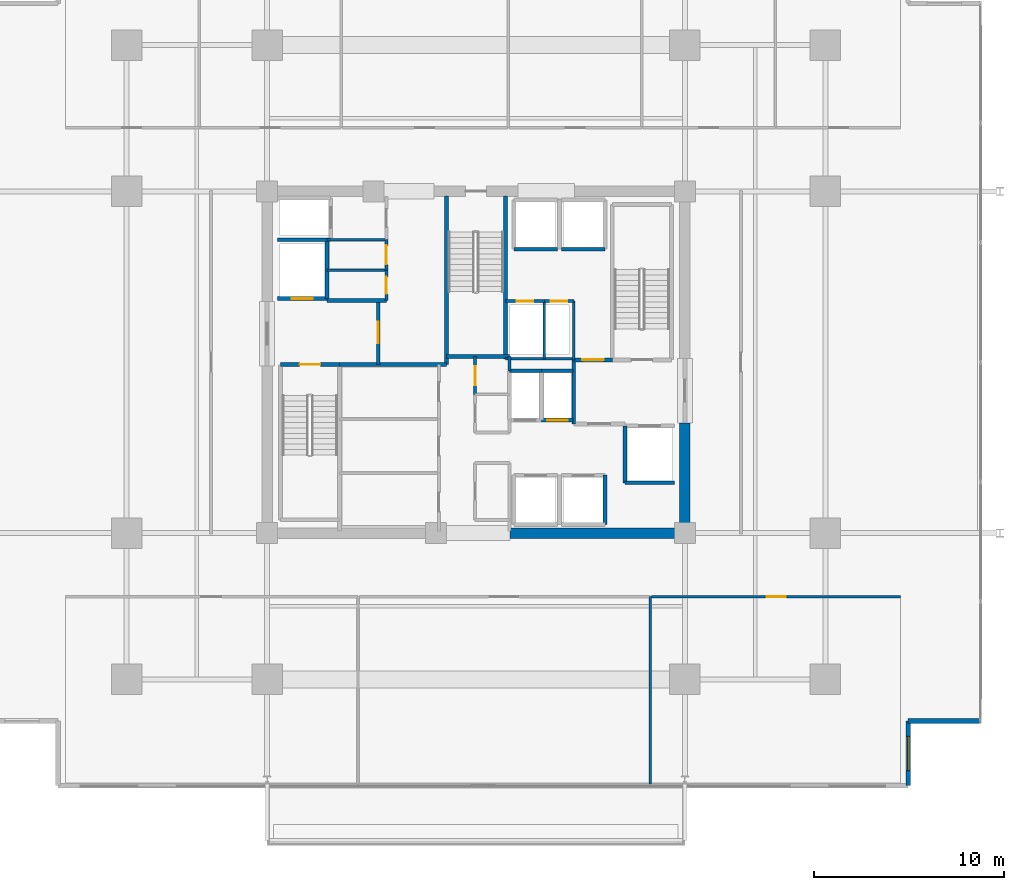
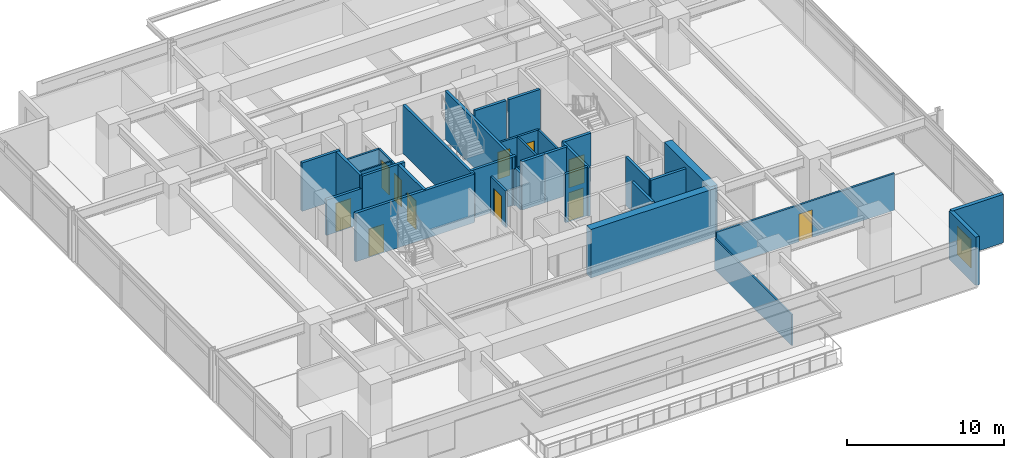
# One storey, part 16 of 23: 37 walls, 11 doors, 1 window, 12 openings.
"""IFC4 building model written with IfcOpenShell, lengths in metres."""

from ifc_helpers import new_model, si_unit, direction, frame, frame_2d, origin, place, context, subcontext, project, spatial, rectangle, extrude, material, layer, layer_set, type_object, element, fill, save


model = new_model("IFC4")

# Units and contexts
model_context = context("Model", 3, precision=1e-05, world=origin(), true_north=direction((0.0, 1.0)))
body_context = subcontext(model_context, "Body", "Model", "MODEL_VIEW")
ifc_project = project(units=[si_unit("LENGTHUNIT", "METRE"), si_unit("AREAUNIT", "SQUARE_METRE"), si_unit("VOLUMEUNIT", "CUBIC_METRE"), si_unit("PLANEANGLEUNIT", "RADIAN"), si_unit("MASSUNIT", "GRAM", prefix="KILO")], contexts=[model_context])

# Site, building, storey
site_placement = place(None, origin())
site = spatial("IfcSite", under=ifc_project, at=site_placement, CompositionType="ELEMENT")
building_placement = place(site_placement, origin())
building = spatial("IfcBuilding", under=site, at=building_placement, Name="Kovane Verandah Tower", CompositionType="ELEMENT")
storey_placement = place(building_placement, frame((0.0, 0.0, 148.39990234375)))
storey = spatial("IfcBuildingStorey", under=building, at=storey_placement, Name="L34", CompositionType="ELEMENT", Elevation=148.39990234375)

# Wall
ifc_material_1 = material(Name="Fire-Rated Gypsum Stud Partition", Category="gypsum")
ifc_layer_1 = layer(ifc_material_1, 0.14990234375)
ifc_layer_set_1 = layer_set([ifc_layer_1], Name="Fire-Rated Gypsum Stud Partition")
wall_type_1 = type_object("IfcWallType", Name="WL-COR-150", PredefinedType="PARTITIONING", material=ifc_layer_set_1)
wall_1_placement = place(storey_placement, frame((41.760009765625, 27.050048828125, 0.0), z_axis=(0.0, 0.0, 1.0), x_axis=(0.0, 1.0, 0.0)))
element("IfcWall", 1, at=wall_1_placement, inside=storey, type_object=wall_type_1, Name="L34 Central Core Strip Upper East Wall", PredefinedType="PARTITIONING", context=body_context, shape_type="SweptSolid", body=[
    extrude(rectangle(XDim=0.75, YDim=0.14990234375, at=frame_2d((0.375, 0.0))), origin(), (0.0, 0.0, 1.0), 2.85009765625),
])

# Wall, opening, door
wall_2_placement = place(storey_placement, frame((39.949951171875, 25.800048828125, 0.0), z_axis=(0.0, 0.0, 1.0), x_axis=(0.0, 1.0, 0.0)))
wall_2 = element("IfcWall", 2, at=wall_2_placement, inside=storey, type_object=wall_type_1, Name="L34 Central First Aid and Wellness Room Partition", PredefinedType="PARTITIONING", context=body_context, shape_type="SweptSolid", body=[
    extrude(rectangle(XDim=2.0, YDim=0.14990234375, at=frame_2d((1.0, 0.0))), origin(), (0.0, 0.0, 1.0), 2.85009765625),
])
opening_1_placement = place(wall_2_placement, frame((0.5, 0.0, 0.0)))
opening_1 = element("IfcOpeningElement", 3, at=opening_1_placement, cuts=wall_2, Name="Opening DR-L34-028", PredefinedType="OPENING", context=body_context, shape_type="SweptSolid", body=[
    extrude(rectangle(XDim=1.0, YDim=2.14990234375, at=frame_2d((0.5, 1.074951171875))), frame((0.0, 0.074951171875, 0.0), z_axis=(0.0, -1.0, 0.0), x_axis=(1.0, 0.0, 0.0)), (0.0, 0.0, 1.0), 0.14990234375),
])
ifc_material_2 = material(Name="FSC Spotted-Gum Timber Fire-Rated Office Door", Category="wood")
door_type_1 = type_object("IfcDoorType", Name="DR-OFF-1000", OperationType="SINGLE_SWING_LEFT", PredefinedType="DOOR", material=ifc_material_2)
door_1_placement = place(opening_1_placement, origin())
door_1 = element("IfcDoor", 4, at=door_1_placement, inside=storey, type_object=door_type_1, Name="L34 Central First Aid and Wellness Room Door", OperationType="SINGLE_SWING_RIGHT", OverallHeight=2.14990234375, OverallWidth=1.0, PredefinedType="DOOR", context=body_context, shape_type="SweptSolid", body=[
    extrude(rectangle(XDim=1.0, YDim=2.14990234375, at=frame_2d((0.5, 1.074951171875))), frame((0.0, 0.02490234375, 0.0), z_axis=(0.0, -1.0, 0.0), x_axis=(1.0, 0.0, 0.0)), (0.0, 0.0, 1.0), 0.050048828125),
])
fill(opening_1, door_1)

# Wall
wall_3_placement = place(storey_placement, frame((32.14990234375, 33.949951171875, 0.0), z_axis=(0.0, 0.0, 1.0), x_axis=(1.0, 0.0, 0.0)))
element("IfcWall", 5, at=wall_3_placement, inside=storey, type_object=wall_type_1, Name="L34 Goods Lift Lobby South Wall", PredefinedType="PARTITIONING", context=body_context, shape_type="SweptSolid", body=[
    extrude(rectangle(XDim=3.130126953125, YDim=0.14990234375, at=frame_2d((1.56494140625, 0.0))), origin(), (0.0, 0.0, 1.0), 2.85009765625),
])

# Wall, opening, door
wall_4_placement = place(storey_placement, frame((35.280029296875, 30.75, 0.0), z_axis=(0.0, 0.0, 1.0), x_axis=(0.0, 1.0, 0.0)))
wall_4 = element("IfcWall", 6, at=wall_4_placement, inside=storey, type_object=wall_type_1, Name="L34 Accessible Unisex Toilet Partition", PredefinedType="PARTITIONING", context=body_context, shape_type="SweptSolid", body=[
    extrude(rectangle(XDim=1.60009765625, YDim=0.14990234375, at=frame_2d((0.800048828125, 0.0))), origin(), (0.0, 0.0, 1.0), 2.85009765625),
])
opening_2_placement = place(wall_4_placement, frame((0.35009765625, 0.0, 0.0)))
opening_2 = element("IfcOpeningElement", 7, at=opening_2_placement, cuts=wall_4, Name="Opening DR-L34-029", PredefinedType="OPENING", context=body_context, shape_type="SweptSolid", body=[
    extrude(rectangle(XDim=0.89990234375, YDim=2.10009765625, at=frame_2d((0.449951171875, 1.050048828125))), frame((0.0, 0.074951171875, 0.0), z_axis=(0.0, -1.0, 0.0), x_axis=(1.0, 0.0, 0.0)), (0.0, 0.0, 1.0), 0.14990234375),
])
ifc_material_3 = material(Name="Moisture-Resistant Laminate Washroom Door", Category="wood")
door_type_2 = type_object("IfcDoorType", Name="DR-WC-900", OperationType="SINGLE_SWING_LEFT", PredefinedType="DOOR", material=ifc_material_3)
door_2_placement = place(opening_2_placement, origin())
door_2 = element("IfcDoor", 8, at=door_2_placement, inside=storey, type_object=door_type_2, Name="L34 Accessible Unisex Toilet Door", OperationType="SINGLE_SWING_RIGHT", OverallHeight=2.10009765625, OverallWidth=0.89990234375, PredefinedType="DOOR", context=body_context, shape_type="SweptSolid", body=[
    extrude(rectangle(XDim=0.89990234375, YDim=2.10009765625, at=frame_2d((0.449951171875, 1.050048828125))), frame((0.0, 0.02490234375, 0.0), z_axis=(0.0, -1.0, 0.0), x_axis=(1.0, 0.0, 0.0)), (0.0, 0.0, 1.0), 0.050048828125),
])
fill(opening_2, door_2)

wall_5_placement = place(storey_placement, frame((35.280029296875, 32.35009765625, 0.0), z_axis=(0.0, 0.0, 1.0), x_axis=(0.0, 1.0, 0.0)))
wall_5 = element("IfcWall", 9, at=wall_5_placement, inside=storey, type_object=wall_type_1, Name="L34 North-West First Aid Room Partition", PredefinedType="PARTITIONING", context=body_context, shape_type="SweptSolid", body=[
    extrude(rectangle(XDim=1.599853515625, YDim=0.14990234375, at=frame_2d((0.7998046875, 0.0))), origin(), (0.0, 0.0, 1.0), 2.85009765625),
])
opening_3_placement = place(wall_5_placement, frame((0.300048828125, 0.0, 0.0)))
opening_3 = element("IfcOpeningElement", 10, at=opening_3_placement, cuts=wall_5, Name="Opening DR-L34-012", PredefinedType="OPENING", context=body_context, shape_type="SweptSolid", body=[
    extrude(rectangle(XDim=1.0, YDim=2.14990234375, at=frame_2d((0.5, 1.074951171875))), frame((0.0, 0.074951171875, 0.0), z_axis=(0.0, -1.0, 0.0), x_axis=(1.0, 0.0, 0.0)), (0.0, 0.0, 1.0), 0.14990234375),
])
door_3_placement = place(opening_3_placement, origin())
door_3 = element("IfcDoor", 11, at=door_3_placement, inside=storey, type_object=door_type_1, Name="L34 North-West First Aid Room Door", OperationType="SINGLE_SWING_LEFT", OverallHeight=2.14990234375, OverallWidth=1.0, PredefinedType="DOOR", context=body_context, shape_type="SweptSolid", body=[
    extrude(rectangle(XDim=1.0, YDim=2.14990234375, at=frame_2d((0.5, 1.074951171875))), frame((0.0, 0.02490234375, 0.0), z_axis=(0.0, -1.0, 0.0), x_axis=(1.0, 0.0, 0.0)), (0.0, 0.0, 1.0), 0.050048828125),
])
fill(opening_3, door_3)

# Walls
wall_6_placement = place(storey_placement, frame((41.56005859375, 27.679931640625, 0.0), z_axis=(0.0, 0.0, 1.0), x_axis=(1.0, 0.0, 0.0)))
element("IfcWall", 12, at=wall_6_placement, inside=storey, type_object=wall_type_1, Name="L34 East Core Service Riser South Wall", PredefinedType="PARTITIONING", context=body_context, shape_type="SweptSolid", body=[
    extrude(rectangle(XDim=3.58984375, YDim=0.14990234375, at=frame_2d((1.794921875, 0.0))), origin(), (0.0, 0.0, 1.0), 2.85009765625),
])
wall_7_placement = place(storey_placement, frame((45.14990234375, 27.6201171875, 0.0), z_axis=(0.0, 0.0, 1.0), x_axis=(0.0, 1.0, 0.0)))
element("IfcWall", 13, at=wall_7_placement, inside=storey, type_object=wall_type_1, Name="L34 East Core Service Riser East Wall", PredefinedType="PARTITIONING", context=body_context, shape_type="SweptSolid", body=[
    extrude(rectangle(XDim=3.099853515625, YDim=0.14990234375, at=frame_2d((1.5498046875, 0.0))), origin(), (0.0, 0.0, 1.0), 2.85009765625),
])

# Wall, opening, door
wall_8_placement = place(storey_placement, frame((41.56005859375, 30.719970703125, 0.0), z_axis=(0.0, 0.0, 1.0), x_axis=(1.0, 0.0, 0.0)))
wall_8 = element("IfcWall", 14, at=wall_8_placement, inside=storey, type_object=wall_type_1, Name="L34 Electrical Sub-Main Riser Room Partition", PredefinedType="PARTITIONING", context=body_context, shape_type="SweptSolid", body=[
    extrude(rectangle(XDim=2.0400390625, YDim=0.14990234375, at=frame_2d((1.02001953125, 0.0))), origin(), (0.0, 0.0, 1.0), 2.85009765625),
])
opening_4_placement = place(wall_8_placement, frame((0.580078125, 0.0, 0.0)))
opening_4 = element("IfcOpeningElement", 15, at=opening_4_placement, cuts=wall_8, Name="Opening DR-L34-017", PredefinedType="OPENING", context=body_context, shape_type="SweptSolid", body=[
    extrude(rectangle(XDim=0.8798828125, YDim=2.10009765625, at=frame_2d((0.43994140625, 1.050048828125))), frame((0.0, 0.074951171875, 0.0), z_axis=(0.0, -1.0, 0.0), x_axis=(1.0, 0.0, 0.0)), (0.0, 0.0, 1.0), 0.14990234375),
])
ifc_material_4 = material(Name="Fire-Rated Steel Riser Access Door", Category="steel")
door_type_3 = type_object("IfcDoorType", Name="DR-RISER-880", OperationType="SINGLE_SWING_LEFT", PredefinedType="DOOR", material=ifc_material_4)
door_4_placement = place(opening_4_placement, origin())
door_4 = element("IfcDoor", 16, at=door_4_placement, inside=storey, type_object=door_type_3, Name="L34 Electrical Sub-Main Riser Room Door", OperationType="SINGLE_SWING_LEFT", OverallHeight=2.10009765625, OverallWidth=0.8798828125, PredefinedType="DOOR", context=body_context, shape_type="SweptSolid", body=[
    extrude(rectangle(XDim=0.8798828125, YDim=2.10009765625, at=frame_2d((0.43994140625, 1.050048828125))), frame((0.0, 0.02490234375, 0.0), z_axis=(0.0, -1.0, 0.0), x_axis=(1.0, 0.0, 0.0)), (0.0, 0.0, 1.0), 0.050048828125),
])
fill(opening_4, door_4)

wall_9_placement = place(storey_placement, frame((43.60009765625, 30.719970703125, 0.0), z_axis=(0.0, 0.0, 1.0), x_axis=(1.0, 0.0, 0.0)))
wall_9 = element("IfcWall", 17, at=wall_9_placement, inside=storey, type_object=wall_type_1, Name="L34 Sprinkler Wet Riser Room Partition", PredefinedType="PARTITIONING", context=body_context, shape_type="SweptSolid", body=[
    extrude(rectangle(XDim=1.5498046875, YDim=0.14990234375, at=frame_2d((0.77490234375, 0.0))), origin(), (0.0, 0.0, 1.0), 2.85009765625),
])
opening_5_placement = place(wall_9_placement, frame((0.3349609375, 0.0, 0.0)))
opening_5 = element("IfcOpeningElement", 18, at=opening_5_placement, cuts=wall_9, Name="Opening DR-L34-018", PredefinedType="OPENING", context=body_context, shape_type="SweptSolid", body=[
    extrude(rectangle(XDim=0.8798828125, YDim=2.10009765625, at=frame_2d((0.43994140625, 1.050048828125))), frame((0.0, 0.074951171875, 0.0), z_axis=(0.0, -1.0, 0.0), x_axis=(1.0, 0.0, 0.0)), (0.0, 0.0, 1.0), 0.14990234375),
])
door_5_placement = place(opening_5_placement, origin())
door_5 = element("IfcDoor", 19, at=door_5_placement, inside=storey, type_object=door_type_3, Name="L34 Sprinkler Wet Riser Room Door", OperationType="SINGLE_SWING_RIGHT", OverallHeight=2.10009765625, OverallWidth=0.8798828125, PredefinedType="DOOR", context=body_context, shape_type="SweptSolid", body=[
    extrude(rectangle(XDim=0.8798828125, YDim=2.10009765625, at=frame_2d((0.43994140625, 1.050048828125))), frame((0.0, 0.02490234375, 0.0), z_axis=(0.0, -1.0, 0.0), x_axis=(1.0, 0.0, 0.0)), (0.0, 0.0, 1.0), 0.050048828125),
])
fill(opening_5, door_5)

wall_10_placement = place(storey_placement, frame((49.242919921875, 15.14990234375, 0.0), z_axis=(0.0, 0.0, 1.0), x_axis=(1.0, 0.0, 0.0)))
wall_10 = element("IfcWall", 20, at=wall_10_placement, inside=storey, type_object=wall_type_1, Name="L34 Meeting Room S3 Corridor Partition", PredefinedType="PARTITIONING", context=body_context, shape_type="SweptSolid", body=[
    extrude(rectangle(XDim=13.12060546875, YDim=0.14990234375, at=frame_2d((6.560302734375, 0.0))), origin(), (0.0, 0.0, 1.0), 2.85009765625),
])
opening_6_placement = place(wall_10_placement, frame((6.060302734375, 0.0, 0.0)))
opening_6 = element("IfcOpeningElement", 21, at=opening_6_placement, cuts=wall_10, Name="Opening DR-L34-027", PredefinedType="OPENING", context=body_context, shape_type="SweptSolid", body=[
    extrude(rectangle(XDim=1.0, YDim=2.14990234375, at=frame_2d((0.5, 1.074951171875))), frame((0.0, 0.074951171875, 0.0), z_axis=(0.0, -1.0, 0.0), x_axis=(1.0, 0.0, 0.0)), (0.0, 0.0, 1.0), 0.14990234375),
])
door_6_placement = place(opening_6_placement, origin())
door_6 = element("IfcDoor", 22, at=door_6_placement, inside=storey, type_object=door_type_1, Name="L34 Meeting Room S3 Entrance Door", OperationType="SINGLE_SWING_LEFT", OverallHeight=2.14990234375, OverallWidth=1.0, PredefinedType="DOOR", context=body_context, shape_type="SweptSolid", body=[
    extrude(rectangle(XDim=1.0, YDim=2.14990234375, at=frame_2d((0.5, 1.074951171875))), frame((0.0, 0.02490234375, 0.0), z_axis=(0.0, -1.0, 0.0), x_axis=(1.0, 0.0, 0.0)), (0.0, 0.0, 1.0), 0.050048828125),
])
fill(opening_6, door_6)

# Walls
ifc_material_5 = material(Name="Concrete C60/75", Category="concrete")
ifc_layer_2 = layer(ifc_material_5, 0.550048828125)
ifc_layer_set_2 = layer_set([ifc_layer_2], Name="Concrete C60/75")
wall_type_2 = type_object("IfcWallType", Name="WL-CORE-550", PredefinedType="SHEAR", material=ifc_layer_set_2)
wall_11_placement = place(storey_placement, frame((41.800048828125, 18.5, 0.0), z_axis=(0.0, 0.0, 1.0), x_axis=(1.0, 0.0, 0.0)))
element("IfcWall", 23, at=wall_11_placement, inside=storey, type_object=wall_type_2, Name="L34 Core Shear Wall CS-2", PredefinedType="SHEAR", context=body_context, shape_type="SweptSolid", body=[
    extrude(rectangle(XDim=9.199951171875, YDim=0.550048828125, at=frame_2d((4.60009765625, 0.0))), origin(), (0.0, 0.0, 1.0), 3.775146484375),
])
wall_12_placement = place(storey_placement, frame((51.0, 18.5, 0.0), z_axis=(0.0, 0.0, 1.0), x_axis=(0.0, 1.0, 0.0)))
element("IfcWall", 24, at=wall_12_placement, inside=storey, type_object=wall_type_2, Name="L34 Core Shear Wall CE-1", PredefinedType="SHEAR", context=body_context, shape_type="SweptSolid", body=[
    extrude(rectangle(XDim=5.800048828125, YDim=0.550048828125, at=frame_2d((2.89990234375, 0.0))), origin(), (0.0, 0.0, 1.0), 3.775146484375),
])

# Wall, opening, door
ifc_material_6 = material(Name="Concrete C45/55 Fire Wall", Category="concrete")
ifc_layer_3 = layer(ifc_material_6, 0.199951171875)
ifc_layer_set_3 = layer_set([ifc_layer_3], Name="Concrete C45/55 Fire Wall")
wall_type_3 = type_object("IfcWallType", Name="WL-FFL-200", PredefinedType="PARTITIONING", material=ifc_layer_set_3)
wall_13_placement = place(storey_placement, frame((34.85009765625, 27.3798828125, 0.0), z_axis=(0.0, 0.0, 1.0), x_axis=(0.0, 1.0, 0.0)))
wall_13 = element("IfcWall", 25, at=wall_13_placement, inside=storey, type_object=wall_type_3, Name="W-L34-FFLW-E", PredefinedType="PARTITIONING", context=body_context, shape_type="SweptSolid", body=[
    extrude(rectangle(XDim=3.3701171875, YDim=0.199951171875, at=frame_2d((1.68505859375, 0.0))), origin(), (0.0, 0.0, 1.0), 3.775146484375),
])
opening_7_placement = place(wall_13_placement, frame((1.110107421875, 0.0, 0.0)))
opening_7 = element("IfcOpeningElement", 26, at=opening_7_placement, cuts=wall_13, Name="Opening DR-L34-006", PredefinedType="OPENING", context=body_context, shape_type="SweptSolid", body=[
    extrude(rectangle(XDim=1.14990234375, YDim=2.199951171875, at=frame_2d((0.574951171875, 1.10009765625))), frame((0.0, 0.10009765625, 0.0), z_axis=(0.0, -1.0, 0.0), x_axis=(1.0, 0.0, 0.0)), (0.0, 0.0, 1.0), 0.199951171875),
])
ifc_material_7 = material(Name="Smoke-Sealed Firefighting Lobby Door", Category="steel")
door_type_4 = type_object("IfcDoorType", Name="DR-FFL-1150", OperationType="SINGLE_SWING_LEFT", PredefinedType="DOOR", material=ifc_material_7)
door_7_placement = place(opening_7_placement, origin())
door_7 = element("IfcDoor", 27, at=door_7_placement, inside=storey, type_object=door_type_4, Name="L34 West Firefighting Lobby Inner Door", OperationType="SINGLE_SWING_LEFT", OverallHeight=2.199951171875, OverallWidth=1.14990234375, PredefinedType="DOOR", context=body_context, shape_type="SweptSolid", body=[
    extrude(rectangle(XDim=1.14990234375, YDim=2.199951171875, at=frame_2d((0.574951171875, 1.10009765625))), frame((0.0, 0.02490234375, 0.0), z_axis=(0.0, -1.0, 0.0), x_axis=(1.0, 0.0, 0.0)), (0.0, 0.0, 1.0), 0.050048828125),
])
fill(opening_7, door_7)

# Walls
wall_14_placement = place(storey_placement, frame((32.820068359375, 27.3798828125, 0.0), z_axis=(0.0, 0.0, 1.0), x_axis=(1.0, 0.0, 0.0)))
element("IfcWall", 28, at=wall_14_placement, inside=storey, type_object=wall_type_3, Name="L34 West Firefighting Lobby South Fire Wall", PredefinedType="PARTITIONING", context=body_context, shape_type="SweptSolid", body=[
    extrude(rectangle(XDim=5.619873046875, YDim=0.199951171875, at=frame_2d((2.81005859375, 0.0))), origin(), (0.0, 0.0, 1.0), 3.775146484375),
])
wall_15_placement = place(storey_placement, frame((32.14990234375, 30.75, 0.0), z_axis=(0.0, 0.0, 1.0), x_axis=(1.0, 0.0, 0.0)))
element("IfcWall", 29, at=wall_15_placement, inside=storey, type_object=wall_type_3, Name="L34 West Firefighting Lobby North Fire Wall", PredefinedType="PARTITIONING", context=body_context, shape_type="SweptSolid", body=[
    extrude(rectangle(XDim=3.130126953125, YDim=0.199951171875, at=frame_2d((1.56494140625, 0.0))), origin(), (0.0, 0.0, 1.0), 3.775146484375),
])
wall_16_placement = place(storey_placement, frame((45.14990234375, 24.25, 0.0), z_axis=(0.0, 0.0, 1.0), x_axis=(0.0, 1.0, 0.0)))
element("IfcWall", 30, at=wall_16_placement, inside=storey, type_object=wall_type_3, Name="L34 East Firefighting Lobby West Fire Wall", PredefinedType="PARTITIONING", context=body_context, shape_type="SweptSolid", body=[
    extrude(rectangle(XDim=3.3701171875, YDim=0.199951171875, at=frame_2d((1.68505859375, 0.0))), origin(), (0.0, 0.0, 1.0), 3.775146484375),
])

# Wall, opening, door
wall_17_placement = place(storey_placement, frame((45.14990234375, 27.6201171875, 0.0), z_axis=(0.0, 0.0, 1.0), x_axis=(1.0, 0.0, 0.0)))
wall_17 = element("IfcWall", 31, at=wall_17_placement, inside=storey, type_object=wall_type_3, Name="W-L34-FFLE-N", PredefinedType="PARTITIONING", context=body_context, shape_type="SweptSolid", body=[
    extrude(rectangle(XDim=2.030029296875, YDim=0.199951171875, at=frame_2d((1.01513671875, 0.0))), origin(), (0.0, 0.0, 1.0), 3.775146484375),
])
opening_8_placement = place(wall_17_placement, frame((0.43994140625, 0.0, 0.0)))
opening_8 = element("IfcOpeningElement", 32, at=opening_8_placement, cuts=wall_17, Name="Opening DR-L34-004", PredefinedType="OPENING", context=body_context, shape_type="SweptSolid", body=[
    extrude(rectangle(XDim=1.14990234375, YDim=2.199951171875, at=frame_2d((0.574951171875, 1.10009765625))), frame((0.0, 0.10009765625, 0.0), z_axis=(0.0, -1.0, 0.0), x_axis=(1.0, 0.0, 0.0)), (0.0, 0.0, 1.0), 0.199951171875),
])
door_8_placement = place(opening_8_placement, origin())
door_8 = element("IfcDoor", 33, at=door_8_placement, inside=storey, type_object=door_type_4, Name="L34 East Firefighting Lobby Shuttle Link Door", OperationType="SINGLE_SWING_LEFT", OverallHeight=2.199951171875, OverallWidth=1.14990234375, PredefinedType="DOOR", context=body_context, shape_type="SweptSolid", body=[
    extrude(rectangle(XDim=1.14990234375, YDim=2.199951171875, at=frame_2d((0.574951171875, 1.10009765625))), frame((0.0, 0.02490234375, 0.0), z_axis=(0.0, -1.0, 0.0), x_axis=(1.0, 0.0, 0.0)), (0.0, 0.0, 1.0), 0.050048828125),
])
fill(opening_8, door_8)

ifc_material_8 = material(Name="Concrete C45/55 Lift Shaft Wall", Category="concrete")
ifc_layer_4 = layer(ifc_material_8, 0.199951171875)
ifc_layer_set_4 = layer_set([ifc_layer_4], Name="Concrete C45/55 Lift Shaft Wall")
wall_type_4 = type_object("IfcWallType", Name="WL-LIFT-200", PredefinedType="SOLIDWALL", material=ifc_layer_set_4)
wall_18_placement = place(storey_placement, frame((29.550048828125, 30.85009765625, 0.0), z_axis=(0.0, 0.0, 1.0), x_axis=(1.0, 0.0, 0.0)))
wall_18 = element("IfcWall", 34, at=wall_18_placement, inside=storey, type_object=wall_type_4, Name="L34 Lift FL-01 S Shaft Wall", PredefinedType="SOLIDWALL", context=body_context, shape_type="SweptSolid", body=[
    extrude(rectangle(XDim=2.599853515625, YDim=0.199951171875, at=frame_2d((1.2998046875, 0.0))), origin(), (0.0, 0.0, 1.0), 2.755126953125),
])
opening_9_placement = place(wall_18_placement, frame((0.75, 0.0, 0.0)))
opening_9 = element("IfcOpeningElement", 35, at=opening_9_placement, cuts=wall_18, Name="Opening LD-L34-001", PredefinedType="OPENING", context=body_context, shape_type="SweptSolid", body=[
    extrude(rectangle(XDim=1.10009765625, YDim=2.199951171875, at=frame_2d((0.550048828125, 1.10009765625))), frame((0.0, 0.10009765625, 0.0), z_axis=(0.0, -1.0, 0.0), x_axis=(1.0, 0.0, 0.0)), (0.0, 0.0, 1.0), 0.199951171875),
])
ifc_material_9 = material(Name="Brushed Stainless Steel Sliding Lift Landing Door", Category="steel")
door_type_5 = type_object("IfcDoorType", Name="DR-LIFT-1100", OperationType="SLIDING_TO_RIGHT", PredefinedType="DOOR", material=ifc_material_9)
door_9_placement = place(opening_9_placement, origin())
door_9 = element("IfcDoor", 36, at=door_9_placement, inside=storey, type_object=door_type_5, Name="L34 Lift FL-01 Sliding Landing Door", OperationType="SLIDING_TO_RIGHT", OverallHeight=2.199951171875, OverallWidth=1.10009765625, PredefinedType="DOOR", context=body_context, shape_type="SweptSolid", body=[
    extrude(rectangle(XDim=1.10009765625, YDim=2.199951171875, at=frame_2d((0.550048828125, 1.10009765625))), frame((0.0, 0.02490234375, 0.0), z_axis=(0.0, -1.0, 0.0), x_axis=(1.0, 0.0, 0.0)), (0.0, 0.0, 1.0), 0.050048828125),
])
fill(opening_9, door_9)

# Walls
wall_19_placement = place(storey_placement, frame((29.550048828125, 33.949951171875, 0.0), z_axis=(0.0, 0.0, 1.0), x_axis=(1.0, 0.0, 0.0)))
element("IfcWall", 37, at=wall_19_placement, inside=storey, type_object=wall_type_4, Name="L34 Lift FL-01 and GL-01 Shared Shaft Wall", PredefinedType="SOLIDWALL", context=body_context, shape_type="SweptSolid", body=[
    extrude(rectangle(XDim=2.800048828125, YDim=0.199951171875, at=frame_2d((1.39990234375, 0.0))), origin(), (0.0, 0.0, 1.0), 3.775146484375),
])
wall_20_placement = place(storey_placement, frame((32.14990234375, 30.85009765625, 0.0), z_axis=(0.0, 0.0, 1.0), x_axis=(0.0, 1.0, 0.0)))
element("IfcWall", 38, at=wall_20_placement, inside=storey, type_object=wall_type_4, Name="L34 Lift FL-01 E Shaft Wall", PredefinedType="SOLIDWALL", context=body_context, shape_type="SweptSolid", body=[
    extrude(rectangle(XDim=3.0, YDim=0.199951171875, at=frame_2d((1.5, 0.0))), origin(), (0.0, 0.0, 1.0), 3.775146484375),
])
wall_21_placement = place(storey_placement, frame((47.85009765625, 21.14990234375, 0.0), z_axis=(0.0, 0.0, 1.0), x_axis=(1.0, 0.0, 0.0)))
element("IfcWall", 39, at=wall_21_placement, inside=storey, type_object=wall_type_4, Name="L34 Lift FL-02 S Shaft Wall", PredefinedType="SOLIDWALL", context=body_context, shape_type="SweptSolid", body=[
    extrude(rectangle(XDim=2.599853515625, YDim=0.199951171875, at=frame_2d((1.2998046875, 0.0))), origin(), (0.0, 0.0, 1.0), 3.775146484375),
])
wall_22_placement = place(storey_placement, frame((47.85009765625, 24.14990234375, 0.0), z_axis=(0.0, 0.0, 1.0), x_axis=(0.0, -1.0, 0.0)))
element("IfcWall", 40, at=wall_22_placement, inside=storey, type_object=wall_type_4, Name="L34 Lift FL-02 W Shaft Wall", PredefinedType="SOLIDWALL", context=body_context, shape_type="SweptSolid", body=[
    extrude(rectangle(XDim=3.0, YDim=0.199951171875, at=frame_2d((1.5, 0.0))), origin(), (0.0, 0.0, 1.0), 3.775146484375),
])
wall_23_placement = place(storey_placement, frame((46.800048828125, 18.949951171875, 0.0), z_axis=(0.0, 0.0, 1.0), x_axis=(0.0, 1.0, 0.0)))
element("IfcWall", 41, at=wall_23_placement, inside=storey, type_object=wall_type_4, Name="L34 Lift PL-M2 E Shaft Wall", PredefinedType="SOLIDWALL", context=body_context, shape_type="SweptSolid", body=[
    extrude(rectangle(XDim=2.60009765625, YDim=0.199951171875, at=frame_2d((1.300048828125, 0.0))), origin(), (0.0, 0.0, 1.0), 3.775146484375),
])
wall_24_placement = place(storey_placement, frame((43.43994140625, 27.050048828125, 0.0), z_axis=(0.0, 0.0, 1.0), x_axis=(-1.0, 0.0, 0.0)))
element("IfcWall", 42, at=wall_24_placement, inside=storey, type_object=wall_type_4, Name="L34 Lift PL-M3 N Shaft Wall", PredefinedType="SOLIDWALL", context=body_context, shape_type="SweptSolid", body=[
    extrude(rectangle(XDim=1.679931640625, YDim=0.199951171875, at=frame_2d((0.83984375, 0.0))), origin(), (0.0, 0.0, 1.0), 3.775146484375),
])

# Wall, opening, door
wall_25_placement = place(storey_placement, frame((43.4599609375, 24.449951171875, 0.0), z_axis=(0.0, 0.0, 1.0), x_axis=(1.0, 0.0, 0.0)))
wall_25 = element("IfcWall", 43, at=wall_25_placement, inside=storey, type_object=wall_type_4, Name="L34 Lift PL-M4 S Shaft Wall", PredefinedType="SOLIDWALL", context=body_context, shape_type="SweptSolid", body=[
    extrude(rectangle(XDim=1.66015625, YDim=0.199951171875, at=frame_2d((0.830078125, 0.0))), origin(), (0.0, 0.0, 1.0), 3.775146484375),
])
opening_10_placement = place(wall_25_placement, frame((0.280029296875, 0.0, 0.0)))
opening_10 = element("IfcOpeningElement", 44, at=opening_10_placement, cuts=wall_25, Name="Opening LD-L34-007", PredefinedType="OPENING", context=body_context, shape_type="SweptSolid", body=[
    extrude(rectangle(XDim=1.10009765625, YDim=2.199951171875, at=frame_2d((0.550048828125, 1.10009765625))), frame((0.0, 0.10009765625, 0.0), z_axis=(0.0, -1.0, 0.0), x_axis=(1.0, 0.0, 0.0)), (0.0, 0.0, 1.0), 0.199951171875),
])
door_10_placement = place(opening_10_placement, origin())
door_10 = element("IfcDoor", 45, at=door_10_placement, inside=storey, type_object=door_type_5, Name="L34 Lift PL-M4 Sliding Landing Door", OperationType="SLIDING_TO_RIGHT", OverallHeight=2.199951171875, OverallWidth=1.10009765625, PredefinedType="DOOR", context=body_context, shape_type="SweptSolid", body=[
    extrude(rectangle(XDim=1.10009765625, YDim=2.199951171875, at=frame_2d((0.550048828125, 1.10009765625))), frame((0.0, 0.02490234375, 0.0), z_axis=(0.0, -1.0, 0.0), x_axis=(1.0, 0.0, 0.0)), (0.0, 0.0, 1.0), 0.050048828125),
])
fill(opening_10, door_10)

# Walls
wall_26_placement = place(storey_placement, frame((45.1201171875, 27.050048828125, 0.0), z_axis=(0.0, 0.0, 1.0), x_axis=(-1.0, 0.0, 0.0)))
element("IfcWall", 46, at=wall_26_placement, inside=storey, type_object=wall_type_4, Name="L34 Lift PL-M4 N Shaft Wall", PredefinedType="SOLIDWALL", context=body_context, shape_type="SweptSolid", body=[
    extrude(rectangle(XDim=1.66015625, YDim=0.199951171875, at=frame_2d((0.830078125, 0.0))), origin(), (0.0, 0.0, 1.0), 3.775146484375),
])
for number, where, z_axis, x_axis, name in (
    (47, (42.0, 33.449951171875, 0.0), (0.0, 0.0, 1.0), (1.0, 0.0, 0.0), "L34 Lift SL-01 S Shaft Wall"),
    (48, (44.5, 33.449951171875, 0.0), (0.0, 0.0, 1.0), (1.0, 0.0, 0.0), "L34 Lift OL-01 S Shaft Wall"),
):
    element("IfcWall", number, at=place(storey_placement, frame(where, z_axis=z_axis, x_axis=x_axis)), inside=storey, type_object=wall_type_4, Name=name, PredefinedType="SOLIDWALL", context=body_context, shape_type="SweptSolid", body=[
        extrude(rectangle(XDim=2.300048828125, YDim=0.199951171875, at=frame_2d((1.14990234375, 0.0))), origin(), (0.0, 0.0, 1.0), 3.775146484375),
    ])
ifc_material_10 = material(Name="Acoustic Fire-Rated Gypsum Partition", Category="gypsum")
ifc_layer_5 = layer(ifc_material_10, 0.1201171875)
ifc_layer_set_5 = layer_set([ifc_layer_5], Name="Acoustic Fire-Rated Gypsum Partition")
wall_type_5 = type_object("IfcWallType", Name="WL-PART-120", PredefinedType="PARTITIONING", material=ifc_layer_set_5)
wall_27_placement = place(storey_placement, frame((32.14990234375, 32.35009765625, 0.0), z_axis=(0.0, 0.0, 1.0), x_axis=(1.0, 0.0, 0.0)))
element("IfcWall", 49, at=wall_27_placement, inside=storey, type_object=wall_type_5, Name="L34 Accessible Washroom and Support Dividing Partition", PredefinedType="PARTITIONING", context=body_context, shape_type="SweptSolid", body=[
    extrude(rectangle(XDim=3.130126953125, YDim=0.1201171875, at=frame_2d((1.56494140625, 0.0))), origin(), (0.0, 0.0, 1.0), 2.85009765625),
])
wall_28_placement = place(storey_placement, frame((43.60009765625, 27.679931640625, 0.0), z_axis=(0.0, 0.0, 1.0), x_axis=(0.0, 1.0, 0.0)))
element("IfcWall", 50, at=wall_28_placement, inside=storey, type_object=wall_type_5, Name="L34 Service Riser Dividing Partition", PredefinedType="PARTITIONING", context=body_context, shape_type="SweptSolid", body=[
    extrude(rectangle(XDim=3.0400390625, YDim=0.1201171875, at=frame_2d((1.52001953125, 0.0))), origin(), (0.0, 0.0, 1.0), 2.85009765625),
])
wall_29_placement = place(storey_placement, frame((49.1728515625, 5.29638671875, 0.0), z_axis=(0.0, 0.0, 1.0), x_axis=(0.0, 1.0, 0.0)))
element("IfcWall", 51, at=wall_29_placement, inside=storey, type_object=wall_type_5, Name="L34 Client Boardroom S2 Dividing Partition", PredefinedType="PARTITIONING", context=body_context, shape_type="SweptSolid", body=[
    extrude(rectangle(XDim=9.853515625, YDim=0.1201171875, at=frame_2d((4.9267578125, 0.0))), origin(), (0.0, 0.0, 1.0), 2.405029296875),
])

# Wall, opening, door
ifc_material_11 = material(Name="Concrete C45/55", Category="concrete")
ifc_layer_6 = layer(ifc_material_11, 0.199951171875)
ifc_layer_set_6 = layer_set([ifc_layer_6], Name="Concrete C45/55")
wall_type_6 = type_object("IfcWallType", Name="WL-SHAFT-200", PredefinedType="SOLIDWALL", material=ifc_layer_set_6)
wall_30_placement = place(storey_placement, frame((29.699951171875, 27.3798828125, 0.0), z_axis=(0.0, 0.0, 1.0), x_axis=(1.0, 0.0, 0.0)))
wall_30 = element("IfcWall", 52, at=wall_30_placement, inside=storey, type_object=wall_type_6, Name="W-L34-ST01-N", PredefinedType="SOLIDWALL", context=body_context, shape_type="SweptSolid", body=[
    extrude(rectangle(XDim=3.1201171875, YDim=0.199951171875, at=frame_2d((1.56005859375, 0.0))), origin(), (0.0, 0.0, 1.0), 3.775146484375),
])
opening_11_placement = place(wall_30_placement, frame((1.010009765625, 0.0, 0.0)))
opening_11 = element("IfcOpeningElement", 53, at=opening_11_placement, cuts=wall_30, Name="Opening DR-L34-009", PredefinedType="OPENING", context=body_context, shape_type="SweptSolid", body=[
    extrude(rectangle(XDim=1.10009765625, YDim=2.14990234375, at=frame_2d((0.550048828125, 1.074951171875))), frame((0.0, 0.10009765625, 0.0), z_axis=(0.0, -1.0, 0.0), x_axis=(1.0, 0.0, 0.0)), (0.0, 0.0, 1.0), 0.199951171875),
])
ifc_material_12 = material(Name="Fire-Rated Steel Exit Door", Category="steel")
door_type_6 = type_object("IfcDoorType", Name="DR-STAIR-1100", OperationType="SINGLE_SWING_LEFT", PredefinedType="DOOR", material=ifc_material_12)
door_11_placement = place(opening_11_placement, origin())
door_11 = element("IfcDoor", 54, at=door_11_placement, inside=storey, type_object=door_type_6, Name="L34 ST-01 Fire Exit Stair Door", OperationType="SINGLE_SWING_LEFT", OverallHeight=2.14990234375, OverallWidth=1.10009765625, PredefinedType="DOOR", context=body_context, shape_type="SweptSolid", body=[
    extrude(rectangle(XDim=1.10009765625, YDim=2.14990234375, at=frame_2d((0.550048828125, 1.074951171875))), frame((0.0, 0.02490234375, 0.0), z_axis=(0.0, -1.0, 0.0), x_axis=(1.0, 0.0, 0.0)), (0.0, 0.0, 1.0), 0.050048828125),
])
fill(opening_11, door_11)

# Walls
wall_31_placement = place(storey_placement, frame((38.43994140625, 27.3798828125, 0.0), z_axis=(0.0, 0.0, 1.0), x_axis=(0.0, 1.0, 0.0)))
element("IfcWall", 55, at=wall_31_placement, inside=storey, type_object=wall_type_6, Name="W-L34-ST03-W", PredefinedType="SOLIDWALL", context=body_context, shape_type="SweptSolid", body=[
    extrude(rectangle(XDim=8.8701171875, YDim=0.199951171875, at=frame_2d((4.43505859375, 0.0))), origin(), (0.0, 0.0, 1.0), 3.775146484375),
])
wall_32_placement = place(storey_placement, frame((41.56005859375, 27.679931640625, 0.0), z_axis=(0.0, 0.0, 1.0), x_axis=(0.0, 1.0, 0.0)))
element("IfcWall", 56, at=wall_32_placement, inside=storey, type_object=wall_type_6, Name="W-L34-ST03-E", PredefinedType="SOLIDWALL", context=body_context, shape_type="SweptSolid", body=[
    extrude(rectangle(XDim=8.570068359375, YDim=0.199951171875, at=frame_2d((4.28515625, 0.0))), origin(), (0.0, 0.0, 1.0), 3.775146484375),
])
wall_33_placement = place(storey_placement, frame((38.43994140625, 27.800048828125, 0.0), z_axis=(0.0, 0.0, 1.0), x_axis=(1.0, 0.0, 0.0)))
element("IfcWall", 57, at=wall_33_placement, inside=storey, type_object=wall_type_6, Name="W-L34-ST03-S", PredefinedType="SOLIDWALL", context=body_context, shape_type="SweptSolid", body=[
    extrude(rectangle(XDim=3.320068359375, YDim=0.199951171875, at=frame_2d((1.66015625, 0.0))), origin(), (0.0, 0.0, 1.0), 3.775146484375),
])

# Wall, opening, window
ifc_material_13 = material(Name="Concrete C45/55 Insulated Spandrel Wall", Category="concrete")
ifc_layer_7 = layer(ifc_material_13, 0.260009765625)
ifc_layer_set_7 = layer_set([ifc_layer_7], Name="Concrete C45/55 Insulated Spandrel Wall")
wall_type_7 = type_object("IfcWallType", Name="WL-SPANDREL-260", PredefinedType="PARAPET", material=ifc_layer_set_7)
wall_34_placement = place(storey_placement, frame((62.763427734375, 5.1962890625, 0.0), z_axis=(0.0, 0.0, 1.0), x_axis=(0.0, 1.0, 0.0)))
wall_34 = element("IfcWall", 58, at=wall_34_placement, inside=storey, type_object=wall_type_7, Name="L34 SE Notch Cheek Wall 1", PredefinedType="PARAPET", context=body_context, shape_type="SweptSolid", body=[
    extrude(rectangle(XDim=3.400146484375, YDim=0.260009765625, at=frame_2d((1.7001953125, 0.0))), origin(), (0.0, 0.0, 1.0), 3.775146484375),
])
opening_12_placement = place(wall_34_placement, frame((0.800048828125, 0.0, 0.85009765625)))
opening_12 = element("IfcOpeningElement", 59, at=opening_12_placement, cuts=wall_34, Name="Opening W-03", PredefinedType="OPENING", context=body_context, shape_type="SweptSolid", body=[
    extrude(rectangle(XDim=1.800048828125, YDim=2.199951171875, at=frame_2d((0.89990234375, 1.10009765625))), frame((0.0, 0.1298828125, 0.0), z_axis=(0.0, -1.0, 0.0), x_axis=(1.0, 0.0, 0.0)), (0.0, 0.0, 1.0), 0.260009765625),
])
ifc_material_14 = material(Name="Clear Low-E Laminated Double Glazing in Anodised Frame", Category="glass")
window_type = type_object("IfcWindowType", Name="WN-NOTCH-1800x2200", PartitioningType="SINGLE_PANEL", PredefinedType="WINDOW", material=ifc_material_14)
window_placement = place(opening_12_placement, origin())
window = element("IfcWindow", 60, at=window_placement, inside=storey, type_object=window_type, Name="L34 SE Re-Entrant Corner Operable Window", OverallHeight=2.199951171875, OverallWidth=1.800048828125, PartitioningType="SINGLE_PANEL", PredefinedType="WINDOW", context=body_context, shape_type="SweptSolid", body=[
    extrude(rectangle(XDim=1.800048828125, YDim=2.199951171875, at=frame_2d((0.89990234375, 1.10009765625))), frame((0.0, 0.030029296875, 0.0), z_axis=(0.0, -1.0, 0.0), x_axis=(1.0, 0.0, 0.0)), (0.0, 0.0, 1.0), 0.06005859375),
])
fill(opening_12, window)

# Wall
wall_35_placement = place(storey_placement, frame((62.763427734375, 8.596435546875, 0.0), z_axis=(0.0, 0.0, 1.0), x_axis=(1.0, 0.0, 0.0)))
element("IfcWall", 61, at=wall_35_placement, inside=storey, type_object=wall_type_7, Name="L34 SE Notch Cheek Wall 2", PredefinedType="PARAPET", context=body_context, shape_type="SweptSolid", body=[
    extrude(rectangle(XDim=3.800048828125, YDim=0.260009765625, at=frame_2d((1.89990234375, 0.0))), origin(), (0.0, 0.0, 1.0), 3.775146484375),
])

save(model, "model.ifc")
